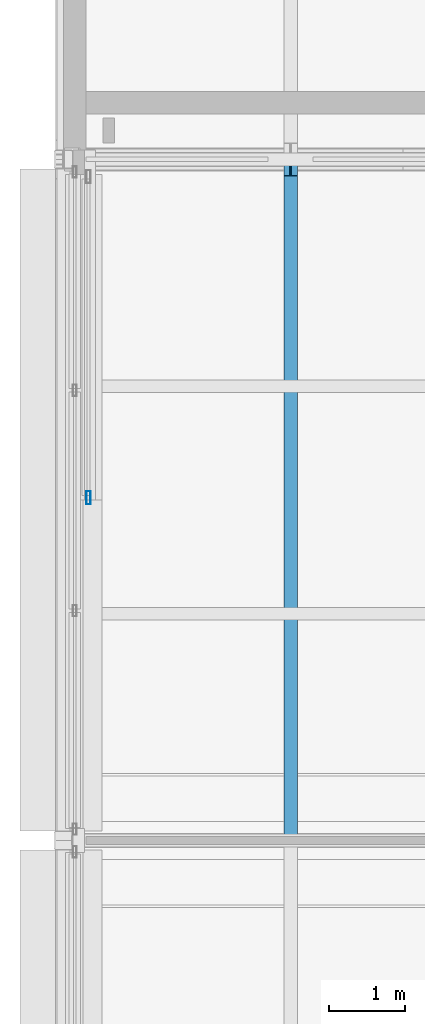
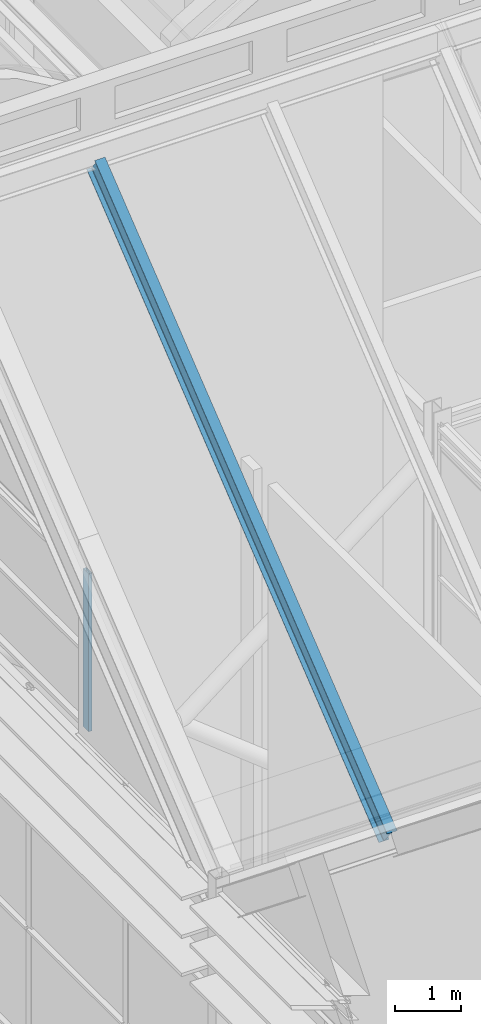
# One storey, part 35 of 144: 2 members, 1 element without a shape of its own.
"""IFC4 building model written with IfcOpenShell, lengths in metres."""

import ifcopenshell
import ifcopenshell.guid

model = None  # the IFC model being written
_history = None  # IfcOwnerHistory: only IFC2X3 demands one
_inside = {}  # id of a spatial element -> (the spatial element, [elements in it])
_under = {}  # id of a project, library or spatial element -> (it, [spatial elements below it])
_declared = {}  # id of a project -> (the project, [libraries it declares])
_typed = {}  # id of a type object -> (the type object, [elements of that type])
_made_of = {}  # id of a material, layer set ... -> (it, [elements and type objects made of it])


def new_model(schema):
    """Start an empty IFC model of exactly this schema.

    Asked for "IFC4X3", IfcOpenShell would pick the latest addendum, in which some entities
    have other attributes; the version numbers below select the first issue.
    IFC2X3 requires an IfcOwnerHistory on every rooted entity: one is made here for all.
    """
    global model, _history
    if schema == "IFC4X3":
        model = ifcopenshell.file(schema_version=(4, 3, 0, 0))
    else:
        model = ifcopenshell.file(schema=schema)
    _inside.clear()
    _under.clear()
    _declared.clear()
    _typed.clear()
    _made_of.clear()
    _history = None
    if model.schema == "IFC2X3":
        org = make("IfcOrganization", Name="unknown")
        user = make(
            "IfcPersonAndOrganization",
            ThePerson=make("IfcPerson", FamilyName="unknown"),
            TheOrganization=org,
        )
        app = make(
            "IfcApplication",
            ApplicationDeveloper=org,
            Version="unknown",
            ApplicationFullName="unknown",
            ApplicationIdentifier="unknown",
        )
        _history = make(
            "IfcOwnerHistory",
            OwningUser=user,
            OwningApplication=app,
            ChangeAction="ADDED",
            CreationDate=0,
        )
    return model


def make(cls, **values):
    """One entity of the class cls with the attributes given. An attribute that is None is left unset."""
    return model.create_entity(
        cls, **{name: value for name, value in values.items() if value is not None}
    )


def rooted(cls, **values):
    """An entity with a GlobalId (a new one), such as an element, a storey or a relation."""
    return make(cls, GlobalId=ifcopenshell.guid.new(), OwnerHistory=_history, **values)


def si_unit(unit_type, name, prefix=None):
    """IfcSIUnit, for example si_unit("LENGTHUNIT", "METRE", prefix="MILLI")."""
    return make("IfcSIUnit", UnitType=unit_type, Prefix=prefix, Name=name)


def assignment(units):
    """IfcUnitAssignment: the units of a project."""
    return None if units is None else make("IfcUnitAssignment", Units=units)


def point(xyz):
    """IfcCartesianPoint."""
    return None if xyz is None else make("IfcCartesianPoint", Coordinates=xyz)


def direction(xyz):
    """IfcDirection."""
    return None if xyz is None else make("IfcDirection", DirectionRatios=xyz)


def frame(location, z_axis=None, x_axis=None):
    """IfcAxis2Placement3D, a coordinate frame: its origin and axes. An axis left out is left unset."""
    return make(
        "IfcAxis2Placement3D",
        Location=point(location),
        Axis=direction(z_axis),
        RefDirection=direction(x_axis),
    )


def frame_2d(location, x_axis=None):
    """IfcAxis2Placement2D, a coordinate frame in the plane: its origin and x axis."""
    return make(
        "IfcAxis2Placement2D", Location=point(location), RefDirection=direction(x_axis)
    )


def origin():
    """The frame at (0, 0, 0) with its axes left unset."""
    return frame((0.0, 0.0, 0.0))


def origin_2d():
    """The frame at (0, 0) in the plane with its x axis left unset."""
    return frame_2d((0.0, 0.0))


def place(relative_to, where):
    """IfcLocalPlacement: puts the frame where relative to a parent placement (None: the world)."""
    return make(
        "IfcLocalPlacement", PlacementRelTo=relative_to, RelativePlacement=where
    )


def context(
    kind, dimensions, precision=None, world=None, true_north=None, identifier=None
):
    """IfcGeometricRepresentationContext, for example the 3D "Model" context."""
    return make(
        "IfcGeometricRepresentationContext",
        ContextIdentifier=identifier,
        ContextType=kind,
        CoordinateSpaceDimension=dimensions,
        Precision=precision,
        WorldCoordinateSystem=world,
        TrueNorth=true_north,
    )


def subcontext(parent, identifier, kind, view, scale=None):
    """IfcGeometricRepresentationSubContext, for example "Body" below "Model"."""
    return make(
        "IfcGeometricRepresentationSubContext",
        ContextIdentifier=identifier,
        ContextType=kind,
        ParentContext=parent,
        TargetScale=scale,
        TargetView=view,
    )


def project(units=None, contexts=None):
    """IfcProject with its units and contexts."""
    return rooted(
        "IfcProject",
        Name="project",
        RepresentationContexts=contexts,
        UnitsInContext=assignment(units),
    )


def spatial(cls, under=None, at=None, **own):
    """A site, building, storey or space (cls), placed at a placement, below another one or the project."""
    s = rooted(cls, ObjectPlacement=at, **own)
    if under is not None:
        _under.setdefault(under.id(), (under, []))[1].append(s)
    return s


def profile(cls, at=None, kind="AREA", **sizes):
    """A parametric profile (cls). Its sizes go by their IFC names, for example OverallWidth=200.0."""
    return make(cls, ProfileType=kind, Position=at, **sizes)


def hollow_rectangle(**sizes):
    """IfcRectangleHollowProfileDef."""
    return profile("IfcRectangleHollowProfileDef", **sizes)


def i_section(**sizes):
    """IfcIShapeProfileDef."""
    return profile("IfcIShapeProfileDef", **sizes)


def extrude(swept, where, along, depth):
    """IfcExtrudedAreaSolid: the profile swept, set in the frame where, extruded along a direction by depth."""
    return make(
        "IfcExtrudedAreaSolid",
        SweptArea=swept,
        Position=where,
        ExtrudedDirection=direction(along),
        Depth=depth,
    )


def shape(context_of_items, identifier, shape_type, items):
    """IfcShapeRepresentation: the items that make up one representation, for example the "Body"."""
    return make(
        "IfcShapeRepresentation",
        ContextOfItems=context_of_items,
        RepresentationIdentifier=identifier,
        RepresentationType=shape_type,
        Items=items,
    )


def material(Name=None, Category=None):
    """IfcMaterial."""
    return make("IfcMaterial", Name=Name, Category=Category)


def layer(
    of_material, thickness, ventilated=None, Name=None, Category=None, Priority=None
):
    """IfcMaterialLayer: one layer of a wall or slab, of a material (None: an air gap)."""
    return make(
        "IfcMaterialLayer",
        Material=of_material,
        LayerThickness=thickness,
        IsVentilated=ventilated,
        Name=Name,
        Category=Category,
        Priority=Priority,
    )


def layer_set(layers, Name=None):
    """IfcMaterialLayerSet."""
    return make("IfcMaterialLayerSet", MaterialLayers=layers, LayerSetName=Name)


def material_profile(
    of_material, cross_section, Name=None, Category=None, Priority=None
):
    """IfcMaterialProfile: a cross section and its material."""
    return make(
        "IfcMaterialProfile",
        Name=Name,
        Material=of_material,
        Profile=cross_section,
        Priority=Priority,
        Category=Category,
    )


def profile_set(profiles, Name=None, composite=None):
    """IfcMaterialProfileSet."""
    return make(
        "IfcMaterialProfileSet",
        Name=Name,
        MaterialProfiles=profiles,
        CompositeProfile=composite,
    )


def made_of(thing, what):
    """Note that an element or type object is made of a material, layer set ...; save() writes the relation."""
    if what is not None:
        _made_of.setdefault(what.id(), (what, []))[1].append(thing)
    return thing


def type_object(cls, material=None, **own):
    """A type object (cls), such as IfcWallType, which elements share."""
    return made_of(rooted(cls, **own), material)


def element(
    cls,
    number,
    at=None,
    inside=None,
    cuts=None,
    type_object=None,
    material=None,
    context=None,
    identifier="Body",
    shape_type=None,
    held_by="IfcProductDefinitionShape",
    body=None,
    shapes=None,
    **own,
):
    """One element of the class cls, such as IfcWall. Its Tag is "e" and its number.

    at: its placement. inside: the storey or other place that contains it. cuts: it is an
    opening in that element (IfcRelVoidsElement). A single representation is given by context,
    identifier, shape_type and body (its items); several are given by shapes. held_by: the class
    of the entity that holds the representations. save() writes the other relations.
    """
    e = rooted(cls, Tag="e%d" % number, ObjectPlacement=at, **own)
    if body is not None:
        shapes = [shape(context, identifier, shape_type, body)]
    if shapes is not None:
        e.Representation = make(held_by, Representations=shapes)
    if inside is not None:
        _inside.setdefault(inside.id(), (inside, []))[1].append(e)
    if cuts is not None:
        rooted(
            "IfcRelVoidsElement", RelatingBuildingElement=cuts, RelatedOpeningElement=e
        )
    if type_object is not None:
        _typed.setdefault(type_object.id(), (type_object, []))[1].append(e)
    return made_of(e, material)


def aggregate(whole, parts):
    """IfcRelAggregates: a whole, such as a stair, and the parts it consists of."""
    return rooted("IfcRelAggregates", RelatingObject=whole, RelatedObjects=parts)


def save(model, path):
    """Write the relations noted so far, then the file.

    IfcRelAggregates (storeys below a building ...), IfcRelContainedInSpatialStructure (elements
    in a storey), IfcRelDefinesByType, IfcRelAssociatesMaterial and IfcRelDeclares: one each for
    every whole, place, type object, material and project.
    """
    for whole, parts in _under.values():
        aggregate(whole, parts)
    for where, things in _inside.values():
        rooted(
            "IfcRelContainedInSpatialStructure",
            RelatedElements=things,
            RelatingStructure=where,
        )
    for kind, things in _typed.values():
        rooted("IfcRelDefinesByType", RelatedObjects=things, RelatingType=kind)
    for what, things in _made_of.values():
        rooted("IfcRelAssociatesMaterial", RelatedObjects=things, RelatingMaterial=what)
    for by, libraries in _declared.values():
        rooted("IfcRelDeclares", RelatingContext=by, RelatedDefinitions=libraries)
    model.write(path)


model = new_model("IFC4")

# Units and contexts
model_context = context("Model", 3, precision=1e-05, world=origin(), true_north=direction((0.0, 1.0)))
body_context = subcontext(model_context, "Body", "Model", "MODEL_VIEW")
ifc_project = project(units=[si_unit("LENGTHUNIT", "METRE"), si_unit("AREAUNIT", "SQUARE_METRE"), si_unit("VOLUMEUNIT", "CUBIC_METRE"), si_unit("PLANEANGLEUNIT", "RADIAN"), si_unit("MASSUNIT", "GRAM", prefix="KILO")], contexts=[model_context])

# Site, building, storey
site_placement = place(None, origin())
site = spatial("IfcSite", under=ifc_project, at=site_placement, CompositionType="ELEMENT")
building_placement = place(site_placement, origin())
building = spatial("IfcBuilding", under=site, at=building_placement, Name="Shorebreak Coast Museum", CompositionType="ELEMENT")
storey_placement = place(building_placement, frame((0.0, 0.0, 36.0)))
storey = spatial("IfcBuildingStorey", under=building, at=storey_placement, Name="L06", CompositionType="ELEMENT", Elevation=36.0)

# Member
ifc_material_1 = material(Name="Steel Grade 300", Category="steel")
ifc_material_profile_1 = material_profile(ifc_material_1, i_section(OverallWidth=0.177978515625, OverallDepth=0.402587890625, WebThickness=0.007568359375, FlangeThickness=0.010986328125, FilletRadius=0.011474609375, at=origin_2d()), Name="410UB53.7")
ifc_profile_set_1 = profile_set([ifc_material_profile_1], Name="Steel Grade 300")
member_type_1 = type_object("IfcMemberType", Name="Fold rafter 410UB53.7", PredefinedType="RAFTER", material=ifc_profile_set_1)
member_1_placement = place(storey_placement, frame((57.0, 80.905029296875, 14.610107421875), z_axis=(0.0, -0.780866698312, -0.624697686459), x_axis=(1.0, 0.0, 0.0)))
element("IfcMember", 1, at=member_1_placement, inside=storey, type_object=member_type_1, Name="Fold rafter FOLD-X line 3 02", PredefinedType="RAFTER", context=body_context, shape_type="SweptSolid", body=[
    extrude(i_section(OverallWidth=0.177978515625, OverallDepth=0.402587890625, WebThickness=0.007568359375, FlangeThickness=0.010986328125, FilletRadius=0.011474609375, at=origin_2d()), origin(), (0.0, 0.0, 1.0), 11.282470703125),
])

# Curtain wall, member
ifc_material_2 = material(Name="Aluminium", Category="aluminium")
ifc_layer = layer(ifc_material_2, 0.175048828125)
ifc_layer_set = layer_set([ifc_layer], Name="Aluminium")
curtain_wall_type = type_object("IfcCurtainWallType", Name="Gable curtain wall", PredefinedType="NOTDEFINED", material=ifc_layer_set)
curtain_wall_placement = place(storey_placement, origin())
curtain_wall = element("IfcCurtainWall", 2, at=curtain_wall_placement, inside=storey, type_object=curtain_wall_type, Name="Gable glazing FOLD-X-54-2", PredefinedType="NOTDEFINED")
ifc_material_3 = material(Name="Aluminium", Category="aluminium")
ifc_material_profile_2 = material_profile(ifc_material_3, hollow_rectangle(XDim=0.06005859375, YDim=0.175048828125, WallThickness=0.00390625, at=origin_2d()), Name="AL 175x60 RHS")
ifc_profile_set_2 = profile_set([ifc_material_profile_2], Name="Aluminium")
member_type_2 = type_object("IfcMemberType", Name="Gable mullion 60 x 175", PredefinedType="MULLION", material=ifc_profile_set_2)
member_2_placement = place(storey_placement, frame((54.33056640625, 76.530029296875, 7.800048828125), z_axis=(0.0, 0.0, 1.0), x_axis=(-1.0, 0.0, 0.0)))
member_2 = element("IfcMember", 3, at=member_2_placement, type_object=member_type_2, Name="CW9 mullion 1", PredefinedType="MULLION", context=body_context, shape_type="SweptSolid", body=[
    extrude(hollow_rectangle(XDim=0.06005859375, YDim=0.175048828125, WallThickness=0.00390625, at=origin_2d()), origin(), (0.0, 0.0, 1.0), 2.90185546875),
])
aggregate(curtain_wall, [member_2])

save(model, "model.ifc")
